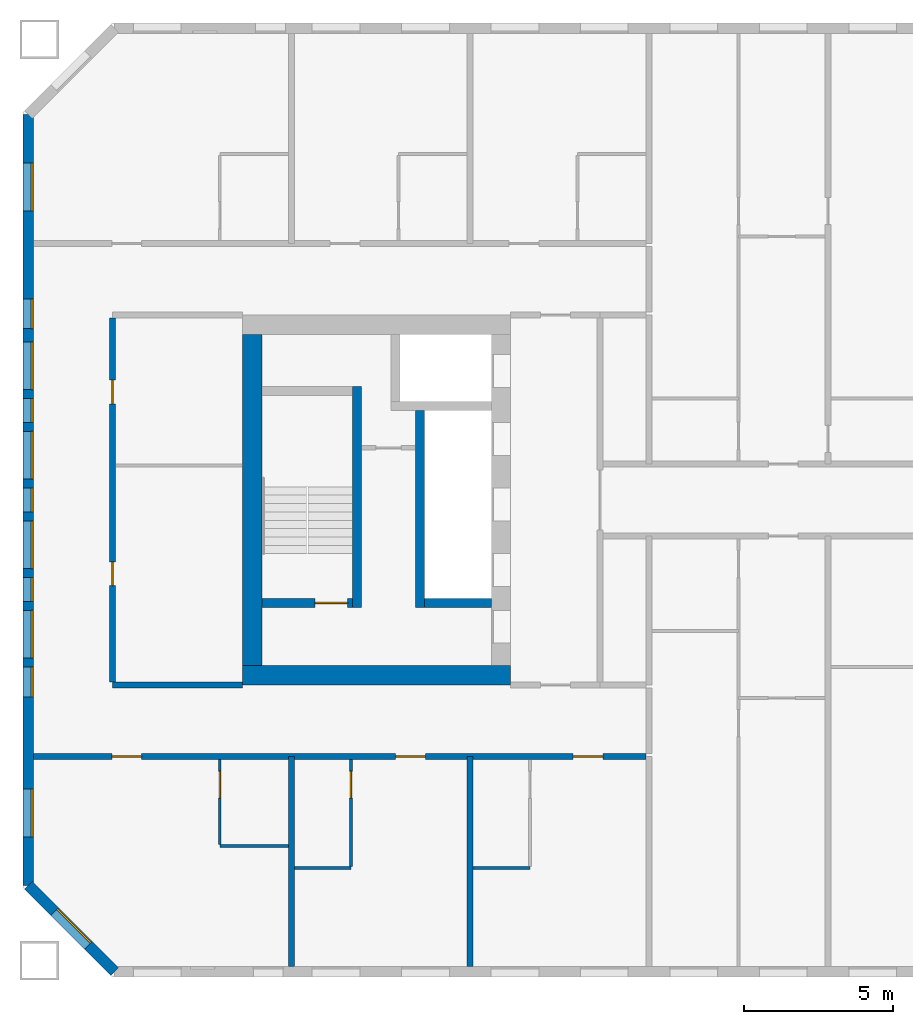
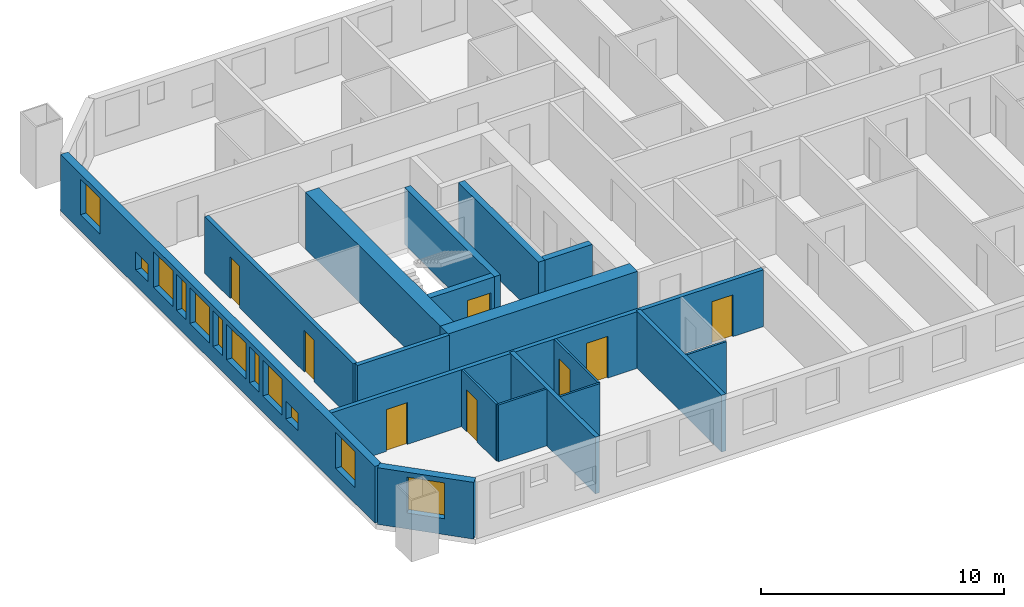
# One storey, part 2 of 17: 18 walls, 12 windows, 8 doors, 20 openings.
"""IFC4 building model written with IfcOpenShell, lengths in metres."""

from ifc_helpers import new_model, si_unit, direction, frame, frame_2d, origin, place, context, subcontext, project, spatial, rectangle, extrude, material, layer, layer_set, type_object, element, fill, save


model = new_model("IFC4")

# Units and contexts
model_context = context("Model", 3, precision=1e-05, world=origin(), true_north=direction((0.0, 1.0)))
body_context = subcontext(model_context, "Body", "Model", "MODEL_VIEW")
ifc_project = project(units=[si_unit("LENGTHUNIT", "METRE"), si_unit("AREAUNIT", "SQUARE_METRE"), si_unit("VOLUMEUNIT", "CUBIC_METRE"), si_unit("PLANEANGLEUNIT", "RADIAN"), si_unit("MASSUNIT", "GRAM", prefix="KILO")], contexts=[model_context])

# Site, building, storey
site_placement = place(None, origin())
site = spatial("IfcSite", under=ifc_project, at=site_placement, CompositionType="ELEMENT")
building_placement = place(site_placement, origin())
building = spatial("IfcBuilding", under=site, at=building_placement, Name="Tuart Gate Housing", CompositionType="ELEMENT")
storey_placement = place(building_placement, frame((0.0, 0.0, 99.5)))
storey = spatial("IfcBuildingStorey", under=building, at=storey_placement, Name="L27", CompositionType="ELEMENT", Elevation=99.5)

# Wall, opening, window
ifc_material_1 = material(Name="Brick", Category="masonry")
ifc_layer_1 = layer(ifc_material_1, 0.360107421875)
ifc_layer_set_1 = layer_set([ifc_layer_1], Name="Brick pier and spandrel wall 360")
wall_type_1 = type_object("IfcWallType", Name="Brick pier and spandrel wall 360", PredefinedType="STANDARD", material=ifc_layer_set_1)
wall_1_placement = place(storey_placement, frame((25.179931640625, 57.07470703125, 0.0), z_axis=(0.0, 0.0, 1.0), x_axis=(0.707106781187, -0.707106781187, 0.0)))
wall_1 = element("IfcWall", 1, at=wall_1_placement, inside=storey, type_object=wall_type_1, Name="External wall A-SW L27", PredefinedType="STANDARD", context=body_context, shape_type="SweptSolid", body=[
    extrude(rectangle(XDim=4.09375, YDim=0.360107421875, at=frame_2d((2.046875, 0.0))), origin(), (0.0, 0.0, 1.0), 2.85009765625),
])
opening_1_placement = place(wall_1_placement, frame((1.2470703125, 0.0, 0.800048828125)))
opening_1 = element("IfcOpeningElement", 2, at=opening_1_placement, cuts=wall_1, Name="Opening W1", PredefinedType="OPENING", context=body_context, shape_type="SweptSolid", body=[
    extrude(rectangle(XDim=1.60009765625, YDim=1.800048828125, at=frame_2d((0.800048828125, 0.89990234375))), frame((0.0, 0.18994140625, 0.0), z_axis=(0.0, -1.0, 0.0), x_axis=(1.0, 0.0, 0.0)), (0.0, 0.0, 1.0), 0.380126953125),
])
ifc_material_2 = material(Name="Aluminium frame with clear glass", Category="aluminium")
window_type_1 = type_object("IfcWindowType", Name="Punched window 1600 x 1800", PartitioningType="SINGLE_PANEL", PredefinedType="WINDOW", material=ifc_material_2)
window_1_placement = place(opening_1_placement, origin())
window_1 = element("IfcWindow", 3, at=window_1_placement, inside=storey, type_object=window_type_1, Name="Window W1", OverallHeight=1.800048828125, OverallWidth=1.60009765625, PartitioningType="SINGLE_PANEL", PredefinedType="WINDOW", context=body_context, shape_type="SweptSolid", body=[
    extrude(rectangle(XDim=1.60009765625, YDim=1.800048828125, at=frame_2d((0.800048828125, 0.89990234375))), frame((0.0, 0.150146484375, 0.0), z_axis=(0.0, -1.0, 0.0), x_axis=(1.0, 0.0, 0.0)), (0.0, 0.0, 1.0), 0.06005859375),
])
fill(opening_1, window_1)

# Wall, openings, windows
wall_2_placement = place(storey_placement, frame((25.179931640625, 82.92529296875, 0.0), z_axis=(0.0, 0.0, 1.0), x_axis=(0.0, -1.0, 0.0)))
wall_2 = element("IfcWall", 4, at=wall_2_placement, inside=storey, type_object=wall_type_1, Name="External wall A-W L27", PredefinedType="STANDARD", context=body_context, shape_type="SweptSolid", body=[
    extrude(rectangle(XDim=25.850830078125, YDim=0.360107421875, at=frame_2d((12.92529296875, 0.0))), origin(), (0.0, 0.0, 1.0), 2.85009765625),
])
opening_2_placement = place(wall_2_placement, frame((1.62548828125, 0.0, 0.800048828125)))
opening_2 = element("IfcOpeningElement", 5, at=opening_2_placement, cuts=wall_2, Name="Opening W1", PredefinedType="OPENING", context=body_context, shape_type="SweptSolid", body=[
    extrude(rectangle(XDim=1.60009765625, YDim=1.800048828125, at=frame_2d((0.800048828125, 0.89990234375))), frame((0.0, 0.18994140625, 0.0), z_axis=(0.0, -1.0, 0.0), x_axis=(1.0, 0.0, 0.0)), (0.0, 0.0, 1.0), 0.380126953125),
])
opening_3_placement = place(wall_2_placement, frame((6.17529296875, 0.0, 0.800048828125)))
opening_3 = element("IfcOpeningElement", 6, at=opening_3_placement, cuts=wall_2, Name="Opening W1U", PredefinedType="OPENING", context=body_context, shape_type="SweptSolid", body=[
    extrude(rectangle(XDim=1.0, YDim=0.89990234375, at=frame_2d((0.5, 0.449951171875))), frame((0.0, 0.18994140625, 0.0), z_axis=(0.0, -1.0, 0.0), x_axis=(1.0, 0.0, 0.0)), (0.0, 0.0, 1.0), 0.380126953125),
])
opening_4_placement = place(wall_2_placement, frame((7.62548828125, 0.0, 0.800048828125)))
opening_4 = element("IfcOpeningElement", 7, at=opening_4_placement, cuts=wall_2, Name="Opening W1", PredefinedType="OPENING", context=body_context, shape_type="SweptSolid", body=[
    extrude(rectangle(XDim=1.60009765625, YDim=1.800048828125, at=frame_2d((0.800048828125, 0.89990234375))), frame((0.0, 0.18994140625, 0.0), z_axis=(0.0, -1.0, 0.0), x_axis=(1.0, 0.0, 0.0)), (0.0, 0.0, 1.0), 0.380126953125),
])
opening_5_placement = place(wall_2_placement, frame((10.62548828125, 0.0, 0.800048828125)))
opening_5 = element("IfcOpeningElement", 8, at=opening_5_placement, cuts=wall_2, Name="Opening W1", PredefinedType="OPENING", context=body_context, shape_type="SweptSolid", body=[
    extrude(rectangle(XDim=1.60009765625, YDim=1.800048828125, at=frame_2d((0.800048828125, 0.89990234375))), frame((0.0, 0.18994140625, 0.0), z_axis=(0.0, -1.0, 0.0), x_axis=(1.0, 0.0, 0.0)), (0.0, 0.0, 1.0), 0.380126953125),
])
opening_6_placement = place(wall_2_placement, frame((13.62548828125, 0.0, 0.800048828125)))
opening_6 = element("IfcOpeningElement", 9, at=opening_6_placement, cuts=wall_2, Name="Opening W1", PredefinedType="OPENING", context=body_context, shape_type="SweptSolid", body=[
    extrude(rectangle(XDim=1.60009765625, YDim=1.800048828125, at=frame_2d((0.800048828125, 0.89990234375))), frame((0.0, 0.18994140625, 0.0), z_axis=(0.0, -1.0, 0.0), x_axis=(1.0, 0.0, 0.0)), (0.0, 0.0, 1.0), 0.380126953125),
])
opening_7_placement = place(wall_2_placement, frame((16.62548828125, 0.0, 0.800048828125)))
opening_7 = element("IfcOpeningElement", 10, at=opening_7_placement, cuts=wall_2, Name="Opening W1", PredefinedType="OPENING", context=body_context, shape_type="SweptSolid", body=[
    extrude(rectangle(XDim=1.60009765625, YDim=1.800048828125, at=frame_2d((0.800048828125, 0.89990234375))), frame((0.0, 0.18994140625, 0.0), z_axis=(0.0, -1.0, 0.0), x_axis=(1.0, 0.0, 0.0)), (0.0, 0.0, 1.0), 0.380126953125),
])
opening_8_placement = place(wall_2_placement, frame((9.525390625, 0.0, 0.800048828125)))
opening_8 = element("IfcOpeningElement", 11, at=opening_8_placement, cuts=wall_2, Name="Opening W1D", PredefinedType="OPENING", context=body_context, shape_type="SweptSolid", body=[
    extrude(rectangle(XDim=0.800048828125, YDim=1.800048828125, at=frame_2d((0.39990234375, 0.89990234375))), frame((0.0, 0.18994140625, 0.0), z_axis=(0.0, -1.0, 0.0), x_axis=(1.0, 0.0, 0.0)), (0.0, 0.0, 1.0), 0.380126953125),
])
opening_9_placement = place(wall_2_placement, frame((22.62548828125, 0.0, 0.800048828125)))
opening_9 = element("IfcOpeningElement", 12, at=opening_9_placement, cuts=wall_2, Name="Opening W1", PredefinedType="OPENING", context=body_context, shape_type="SweptSolid", body=[
    extrude(rectangle(XDim=1.60009765625, YDim=1.800048828125, at=frame_2d((0.800048828125, 0.89990234375))), frame((0.0, 0.18994140625, 0.0), z_axis=(0.0, -1.0, 0.0), x_axis=(1.0, 0.0, 0.0)), (0.0, 0.0, 1.0), 0.380126953125),
])
opening_10_placement = place(wall_2_placement, frame((12.525390625, 0.0, 0.800048828125)))
opening_10 = element("IfcOpeningElement", 13, at=opening_10_placement, cuts=wall_2, Name="Opening W1D", PredefinedType="OPENING", context=body_context, shape_type="SweptSolid", body=[
    extrude(rectangle(XDim=0.800048828125, YDim=1.800048828125, at=frame_2d((0.39990234375, 0.89990234375))), frame((0.0, 0.18994140625, 0.0), z_axis=(0.0, -1.0, 0.0), x_axis=(1.0, 0.0, 0.0)), (0.0, 0.0, 1.0), 0.380126953125),
])
opening_11_placement = place(wall_2_placement, frame((15.525390625, 0.0, 0.800048828125)))
opening_11 = element("IfcOpeningElement", 14, at=opening_11_placement, cuts=wall_2, Name="Opening W1D", PredefinedType="OPENING", context=body_context, shape_type="SweptSolid", body=[
    extrude(rectangle(XDim=0.800048828125, YDim=1.800048828125, at=frame_2d((0.39990234375, 0.89990234375))), frame((0.0, 0.18994140625, 0.0), z_axis=(0.0, -1.0, 0.0), x_axis=(1.0, 0.0, 0.0)), (0.0, 0.0, 1.0), 0.380126953125),
])
opening_12_placement = place(wall_2_placement, frame((18.525390625, 0.0, 0.800048828125)))
opening_12 = element("IfcOpeningElement", 15, at=opening_12_placement, cuts=wall_2, Name="Opening W1U", PredefinedType="OPENING", context=body_context, shape_type="SweptSolid", body=[
    extrude(rectangle(XDim=1.0, YDim=0.89990234375, at=frame_2d((0.5, 0.449951171875))), frame((0.0, 0.18994140625, 0.0), z_axis=(0.0, -1.0, 0.0), x_axis=(1.0, 0.0, 0.0)), (0.0, 0.0, 1.0), 0.380126953125),
])
ifc_material_3 = material(Name="Aluminium frame with clear glass", Category="aluminium")
window_type_2 = type_object("IfcWindowType", Name="Punched window 1000 x 900", PartitioningType="SINGLE_PANEL", PredefinedType="WINDOW", material=ifc_material_3)
window_2_placement = place(opening_3_placement, origin())
window_2 = element("IfcWindow", 16, at=window_2_placement, inside=storey, type_object=window_type_2, Name="Window W1U", OverallHeight=0.89990234375, OverallWidth=1.0, PartitioningType="SINGLE_PANEL", PredefinedType="WINDOW", context=body_context, shape_type="SweptSolid", body=[
    extrude(rectangle(XDim=1.0, YDim=0.89990234375, at=frame_2d((0.5, 0.449951171875))), frame((0.0, 0.150146484375, 0.0), z_axis=(0.0, -1.0, 0.0), x_axis=(1.0, 0.0, 0.0)), (0.0, 0.0, 1.0), 0.06005859375),
])
fill(opening_3, window_2)
window_3_placement = place(opening_12_placement, origin())
window_3 = element("IfcWindow", 17, at=window_3_placement, inside=storey, type_object=window_type_2, Name="Window W1U", OverallHeight=0.89990234375, OverallWidth=1.0, PartitioningType="SINGLE_PANEL", PredefinedType="WINDOW", context=body_context, shape_type="SweptSolid", body=[
    extrude(rectangle(XDim=1.0, YDim=0.89990234375, at=frame_2d((0.5, 0.449951171875))), frame((0.0, 0.150146484375, 0.0), z_axis=(0.0, -1.0, 0.0), x_axis=(1.0, 0.0, 0.0)), (0.0, 0.0, 1.0), 0.06005859375),
])
fill(opening_12, window_3)
window_4_placement = place(opening_2_placement, origin())
window_4 = element("IfcWindow", 18, at=window_4_placement, inside=storey, type_object=window_type_1, Name="Window W1", OverallHeight=1.800048828125, OverallWidth=1.60009765625, PartitioningType="SINGLE_PANEL", PredefinedType="WINDOW", context=body_context, shape_type="SweptSolid", body=[
    extrude(rectangle(XDim=1.60009765625, YDim=1.800048828125, at=frame_2d((0.800048828125, 0.89990234375))), frame((0.0, 0.150146484375, 0.0), z_axis=(0.0, -1.0, 0.0), x_axis=(1.0, 0.0, 0.0)), (0.0, 0.0, 1.0), 0.06005859375),
])
fill(opening_2, window_4)
window_5_placement = place(opening_4_placement, origin())
window_5 = element("IfcWindow", 19, at=window_5_placement, inside=storey, type_object=window_type_1, Name="Window W1", OverallHeight=1.800048828125, OverallWidth=1.60009765625, PartitioningType="SINGLE_PANEL", PredefinedType="WINDOW", context=body_context, shape_type="SweptSolid", body=[
    extrude(rectangle(XDim=1.60009765625, YDim=1.800048828125, at=frame_2d((0.800048828125, 0.89990234375))), frame((0.0, 0.150146484375, 0.0), z_axis=(0.0, -1.0, 0.0), x_axis=(1.0, 0.0, 0.0)), (0.0, 0.0, 1.0), 0.06005859375),
])
fill(opening_4, window_5)
window_6_placement = place(opening_5_placement, origin())
window_6 = element("IfcWindow", 20, at=window_6_placement, inside=storey, type_object=window_type_1, Name="Window W1", OverallHeight=1.800048828125, OverallWidth=1.60009765625, PartitioningType="SINGLE_PANEL", PredefinedType="WINDOW", context=body_context, shape_type="SweptSolid", body=[
    extrude(rectangle(XDim=1.60009765625, YDim=1.800048828125, at=frame_2d((0.800048828125, 0.89990234375))), frame((0.0, 0.150146484375, 0.0), z_axis=(0.0, -1.0, 0.0), x_axis=(1.0, 0.0, 0.0)), (0.0, 0.0, 1.0), 0.06005859375),
])
fill(opening_5, window_6)
window_7_placement = place(opening_6_placement, origin())
window_7 = element("IfcWindow", 21, at=window_7_placement, inside=storey, type_object=window_type_1, Name="Window W1", OverallHeight=1.800048828125, OverallWidth=1.60009765625, PartitioningType="SINGLE_PANEL", PredefinedType="WINDOW", context=body_context, shape_type="SweptSolid", body=[
    extrude(rectangle(XDim=1.60009765625, YDim=1.800048828125, at=frame_2d((0.800048828125, 0.89990234375))), frame((0.0, 0.150146484375, 0.0), z_axis=(0.0, -1.0, 0.0), x_axis=(1.0, 0.0, 0.0)), (0.0, 0.0, 1.0), 0.06005859375),
])
fill(opening_6, window_7)
window_8_placement = place(opening_7_placement, origin())
window_8 = element("IfcWindow", 22, at=window_8_placement, inside=storey, type_object=window_type_1, Name="Window W1", OverallHeight=1.800048828125, OverallWidth=1.60009765625, PartitioningType="SINGLE_PANEL", PredefinedType="WINDOW", context=body_context, shape_type="SweptSolid", body=[
    extrude(rectangle(XDim=1.60009765625, YDim=1.800048828125, at=frame_2d((0.800048828125, 0.89990234375))), frame((0.0, 0.150146484375, 0.0), z_axis=(0.0, -1.0, 0.0), x_axis=(1.0, 0.0, 0.0)), (0.0, 0.0, 1.0), 0.06005859375),
])
fill(opening_7, window_8)
window_9_placement = place(opening_9_placement, origin())
window_9 = element("IfcWindow", 23, at=window_9_placement, inside=storey, type_object=window_type_1, Name="Window W1", OverallHeight=1.800048828125, OverallWidth=1.60009765625, PartitioningType="SINGLE_PANEL", PredefinedType="WINDOW", context=body_context, shape_type="SweptSolid", body=[
    extrude(rectangle(XDim=1.60009765625, YDim=1.800048828125, at=frame_2d((0.800048828125, 0.89990234375))), frame((0.0, 0.150146484375, 0.0), z_axis=(0.0, -1.0, 0.0), x_axis=(1.0, 0.0, 0.0)), (0.0, 0.0, 1.0), 0.06005859375),
])
fill(opening_9, window_9)
ifc_material_4 = material(Name="Aluminium frame with clear glass", Category="aluminium")
window_type_3 = type_object("IfcWindowType", Name="Punched window 800 x 1800", PartitioningType="SINGLE_PANEL", PredefinedType="WINDOW", material=ifc_material_4)
window_10_placement = place(opening_8_placement, origin())
window_10 = element("IfcWindow", 24, at=window_10_placement, inside=storey, type_object=window_type_3, Name="Window W1D", OverallHeight=1.800048828125, OverallWidth=0.800048828125, PartitioningType="SINGLE_PANEL", PredefinedType="WINDOW", context=body_context, shape_type="SweptSolid", body=[
    extrude(rectangle(XDim=0.800048828125, YDim=1.800048828125, at=frame_2d((0.39990234375, 0.89990234375))), frame((0.0, 0.150146484375, 0.0), z_axis=(0.0, -1.0, 0.0), x_axis=(1.0, 0.0, 0.0)), (0.0, 0.0, 1.0), 0.06005859375),
])
fill(opening_8, window_10)
window_11_placement = place(opening_10_placement, origin())
window_11 = element("IfcWindow", 25, at=window_11_placement, inside=storey, type_object=window_type_3, Name="Window W1D", OverallHeight=1.800048828125, OverallWidth=0.800048828125, PartitioningType="SINGLE_PANEL", PredefinedType="WINDOW", context=body_context, shape_type="SweptSolid", body=[
    extrude(rectangle(XDim=0.800048828125, YDim=1.800048828125, at=frame_2d((0.39990234375, 0.89990234375))), frame((0.0, 0.150146484375, 0.0), z_axis=(0.0, -1.0, 0.0), x_axis=(1.0, 0.0, 0.0)), (0.0, 0.0, 1.0), 0.06005859375),
])
fill(opening_10, window_11)
window_12_placement = place(opening_11_placement, origin())
window_12 = element("IfcWindow", 26, at=window_12_placement, inside=storey, type_object=window_type_3, Name="Window W1D", OverallHeight=1.800048828125, OverallWidth=0.800048828125, PartitioningType="SINGLE_PANEL", PredefinedType="WINDOW", context=body_context, shape_type="SweptSolid", body=[
    extrude(rectangle(XDim=0.800048828125, YDim=1.800048828125, at=frame_2d((0.39990234375, 0.89990234375))), frame((0.0, 0.150146484375, 0.0), z_axis=(0.0, -1.0, 0.0), x_axis=(1.0, 0.0, 0.0)), (0.0, 0.0, 1.0), 0.06005859375),
])
fill(opening_11, window_12)

# Wall
ifc_material_5 = material(Name="Concrete C50", Category="concrete")
ifc_layer_2 = layer(ifc_material_5, 0.300048828125)
ifc_layer_set_2 = layer_set([ifc_layer_2], Name="Core wall 300 C50")
wall_type_2 = type_object("IfcWallType", Name="Core wall 300 C50", PredefinedType="SHEAR", material=ifc_layer_set_2)
wall_3_placement = place(storey_placement, frame((40.7099609375, 66.550048828125, 0.0), z_axis=(0.0, 0.0, 1.0), x_axis=(-1.0, 0.0, 0.0)))
element("IfcWall", 27, at=wall_3_placement, inside=storey, type_object=wall_type_2, Name="Core wall AK.4", PredefinedType="SHEAR", context=body_context, shape_type="SweptSolid", body=[
    extrude(rectangle(XDim=2.25, YDim=0.300048828125, at=frame_2d((1.125, 0.0))), origin(), (0.0, 0.0, 1.0), 2.85009765625),
])

# Wall, opening, door
wall_4_placement = place(storey_placement, frame((36.06005859375, 66.550048828125, 0.0), z_axis=(0.0, 0.0, 1.0), x_axis=(-1.0, 0.0, 0.0)))
wall_4 = element("IfcWall", 28, at=wall_4_placement, inside=storey, type_object=wall_type_2, Name="Core wall AK.5", PredefinedType="SHEAR", context=body_context, shape_type="SweptSolid", body=[
    extrude(rectangle(XDim=3.050048828125, YDim=0.300048828125, at=frame_2d((1.52490234375, 0.0))), origin(), (0.0, 0.0, 1.0), 2.85009765625),
])
opening_13_placement = place(wall_4_placement, frame((0.169921875, 0.0, 0.0)))
opening_13 = element("IfcOpeningElement", 29, at=opening_13_placement, cuts=wall_4, Name="Opening D1103", PredefinedType="OPENING", context=body_context, shape_type="SweptSolid", body=[
    extrude(rectangle(XDim=1.10009765625, YDim=2.10009765625, at=frame_2d((0.550048828125, 1.050048828125))), frame((0.0, 0.159912109375, 0.0), z_axis=(0.0, -1.0, 0.0), x_axis=(1.0, 0.0, 0.0)), (0.0, 0.0, 1.0), 0.320068359375),
])
ifc_material_6 = material(Name="Steel fire door", Category="steel")
door_type_1 = type_object("IfcDoorType", Name="Stair door 1100 x 2100 RH", OperationType="SINGLE_SWING_RIGHT", PredefinedType="DOOR", material=ifc_material_6)
door_1_placement = place(opening_13_placement, frame((1.10009765625, 0.0, 0.0), z_axis=(0.0, 0.0, 1.0), x_axis=(-1.0, 0.0, 0.0)))
door_1 = element("IfcDoor", 30, at=door_1_placement, inside=storey, type_object=door_type_1, Name="Stair door AK.SD", OperationType="SINGLE_SWING_RIGHT", OverallHeight=2.10009765625, OverallWidth=1.10009765625, PredefinedType="DOOR", context=body_context, shape_type="SweptSolid", body=[
    extrude(rectangle(XDim=1.10009765625, YDim=2.10009765625, at=frame_2d((0.550048828125, 1.050048828125))), frame((0.0, 0.025146484375, 0.0), z_axis=(0.0, -1.0, 0.0), x_axis=(1.0, 0.0, 0.0)), (0.0, 0.0, 1.0), 0.050048828125),
])
fill(opening_13, door_1)

# Walls
wall_5_placement = place(storey_placement, frame((38.31005859375, 73.0, 0.0), z_axis=(0.0, 0.0, 1.0), x_axis=(0.0, -1.0, 0.0)))
element("IfcWall", 31, at=wall_5_placement, inside=storey, type_object=wall_type_2, Name="Core wall AK.6", PredefinedType="SHEAR", context=body_context, shape_type="SweptSolid", body=[
    extrude(rectangle(XDim=6.60009765625, YDim=0.300048828125, at=frame_2d((3.300048828125, 0.0))), origin(), (0.0, 0.0, 1.0), 2.85009765625),
])
wall_6_placement = place(storey_placement, frame((36.2099609375, 73.800048828125, 0.0), z_axis=(0.0, 0.0, 1.0), x_axis=(0.0, -1.0, 0.0)))
element("IfcWall", 32, at=wall_6_placement, inside=storey, type_object=wall_type_2, Name="Core wall AK.8", PredefinedType="SHEAR", context=body_context, shape_type="SweptSolid", body=[
    extrude(rectangle(XDim=7.400146484375, YDim=0.300048828125, at=frame_2d((3.7001953125, 0.0))), origin(), (0.0, 0.0, 1.0), 2.85009765625),
])
ifc_material_7 = material(Name="Concrete C50", Category="concrete")
ifc_layer_3 = layer(ifc_material_7, 0.64990234375)
ifc_layer_set_3 = layer_set([ifc_layer_3], Name="Core wall 650 C50")
wall_type_3 = type_object("IfcWallType", Name="Core wall 650 C50", PredefinedType="SHEAR", material=ifc_layer_set_3)
wall_7_placement = place(storey_placement, frame((32.68505859375, 75.550048828125, 0.0), z_axis=(0.0, 0.0, 1.0), x_axis=(0.0, -1.0, 0.0)))
element("IfcWall", 33, at=wall_7_placement, inside=storey, type_object=wall_type_3, Name="Core wall AK back", PredefinedType="SHEAR", context=body_context, shape_type="SweptSolid", body=[
    extrude(rectangle(XDim=11.10009765625, YDim=0.64990234375, at=frame_2d((5.550048828125, 0.0))), origin(), (0.0, 0.0, 1.0), 2.85009765625),
])
wall_8_placement = place(storey_placement, frame((41.360107421875, 64.125, 0.0), z_axis=(0.0, 0.0, 1.0), x_axis=(-1.0, 0.0, 0.0)))
element("IfcWall", 34, at=wall_8_placement, inside=storey, type_object=wall_type_3, Name="Core wall AK north", PredefinedType="SHEAR", context=body_context, shape_type="SweptSolid", body=[
    extrude(rectangle(XDim=9.0, YDim=0.64990234375, at=frame_2d((4.5, 0.0))), origin(), (0.0, 0.0, 1.0), 2.85009765625),
])

# Wall, openings, doors
ifc_material_8 = material(Name="Concrete masonry 15 MPa", Category="masonry")
ifc_layer_4 = layer(ifc_material_8, 0.199951171875)
ifc_layer_set_4 = layer_set([ifc_layer_4], Name="Corridor wall masonry 200")
wall_type_4 = type_object("IfcWallType", Name="Corridor wall masonry 200", PredefinedType="PARTITIONING", material=ifc_layer_set_4)
wall_9_placement = place(storey_placement, frame((25.360107421875, 61.39990234375, 0.0), z_axis=(0.0, 0.0, 1.0), x_axis=(1.0, 0.0, 0.0)))
wall_9 = element("IfcWall", 35, at=wall_9_placement, inside=storey, type_object=wall_type_4, Name="Corridor wall masonry 200", PredefinedType="PARTITIONING", context=body_context, shape_type="SweptSolid", body=[
    extrude(rectangle(XDim=20.539794921875, YDim=0.199951171875, at=frame_2d((10.27001953125, 0.0))), origin(), (0.0, 0.0, 1.0), 2.85009765625),
])
opening_14_placement = place(wall_9_placement, frame((18.090087890625, 0.0, 0.0)))
opening_14 = element("IfcOpeningElement", 36, at=opening_14_placement, cuts=wall_9, Name="Opening D1113", PredefinedType="OPENING", context=body_context, shape_type="SweptSolid", body=[
    extrude(rectangle(XDim=1.0, YDim=2.10009765625, at=frame_2d((0.5, 1.050048828125))), frame((0.0, 0.10986328125, 0.0), z_axis=(0.0, -1.0, 0.0), x_axis=(1.0, 0.0, 0.0)), (0.0, 0.0, 1.0), 0.219970703125),
])
opening_15_placement = place(wall_9_placement, frame((12.139892578125, 0.0, 0.0)))
opening_15 = element("IfcOpeningElement", 37, at=opening_15_placement, cuts=wall_9, Name="Opening D1114", PredefinedType="OPENING", context=body_context, shape_type="SweptSolid", body=[
    extrude(rectangle(XDim=1.0, YDim=2.10009765625, at=frame_2d((0.5, 1.050048828125))), frame((0.0, 0.10986328125, 0.0), z_axis=(0.0, -1.0, 0.0), x_axis=(1.0, 0.0, 0.0)), (0.0, 0.0, 1.0), 0.219970703125),
])
opening_16_placement = place(wall_9_placement, frame((2.6201171875, 0.0, 0.0)))
opening_16 = element("IfcOpeningElement", 38, at=opening_16_placement, cuts=wall_9, Name="Opening D1115", PredefinedType="OPENING", context=body_context, shape_type="SweptSolid", body=[
    extrude(rectangle(XDim=1.0, YDim=2.10009765625, at=frame_2d((0.5, 1.050048828125))), frame((0.0, 0.10986328125, 0.0), z_axis=(0.0, -1.0, 0.0), x_axis=(1.0, 0.0, 0.0)), (0.0, 0.0, 1.0), 0.219970703125),
])
ifc_material_9 = material(Name="Timber door leaf in steel frame", Category="steel")
door_type_2 = type_object("IfcDoorType", Name="Flat entrance door 1000 RH", OperationType="SINGLE_SWING_RIGHT", PredefinedType="DOOR", material=ifc_material_9)
door_2_placement = place(opening_14_placement, frame((1.0, 0.0, 0.0), z_axis=(0.0, 0.0, 1.0), x_axis=(-1.0, 0.0, 0.0)))
door_2 = element("IfcDoor", 39, at=door_2_placement, inside=storey, type_object=door_type_2, Name="Flat entrance door", OperationType="SINGLE_SWING_RIGHT", OverallHeight=2.10009765625, OverallWidth=1.0, PredefinedType="DOOR", context=body_context, shape_type="SweptSolid", body=[
    extrude(rectangle(XDim=1.0, YDim=2.10009765625, at=frame_2d((0.5, 1.050048828125))), frame((0.0, 0.025146484375, 0.0), z_axis=(0.0, -1.0, 0.0), x_axis=(1.0, 0.0, 0.0)), (0.0, 0.0, 1.0), 0.050048828125),
])
fill(opening_14, door_2)
door_3_placement = place(opening_15_placement, frame((1.0, 0.0, 0.0), z_axis=(0.0, 0.0, 1.0), x_axis=(-1.0, 0.0, 0.0)))
door_3 = element("IfcDoor", 40, at=door_3_placement, inside=storey, type_object=door_type_2, Name="Flat entrance door", OperationType="SINGLE_SWING_RIGHT", OverallHeight=2.10009765625, OverallWidth=1.0, PredefinedType="DOOR", context=body_context, shape_type="SweptSolid", body=[
    extrude(rectangle(XDim=1.0, YDim=2.10009765625, at=frame_2d((0.5, 1.050048828125))), frame((0.0, 0.025146484375, 0.0), z_axis=(0.0, -1.0, 0.0), x_axis=(1.0, 0.0, 0.0)), (0.0, 0.0, 1.0), 0.050048828125),
])
fill(opening_15, door_3)
door_4_placement = place(opening_16_placement, frame((1.0, 0.0, 0.0), z_axis=(0.0, 0.0, 1.0), x_axis=(-1.0, 0.0, 0.0)))
door_4 = element("IfcDoor", 41, at=door_4_placement, inside=storey, type_object=door_type_2, Name="Flat entrance door", OperationType="SINGLE_SWING_RIGHT", OverallHeight=2.10009765625, OverallWidth=1.0, PredefinedType="DOOR", context=body_context, shape_type="SweptSolid", body=[
    extrude(rectangle(XDim=1.0, YDim=2.10009765625, at=frame_2d((0.5, 1.050048828125))), frame((0.0, 0.025146484375, 0.0), z_axis=(0.0, -1.0, 0.0), x_axis=(1.0, 0.0, 0.0)), (0.0, 0.0, 1.0), 0.050048828125),
])
fill(opening_16, door_4)

# Wall
wall_10_placement = place(storey_placement, frame((28.0, 63.800048828125, 0.0), z_axis=(0.0, 0.0, 1.0), x_axis=(1.0, 0.0, 0.0)))
element("IfcWall", 42, at=wall_10_placement, inside=storey, type_object=wall_type_4, Name="Corridor wall masonry 200", PredefinedType="PARTITIONING", context=body_context, shape_type="SweptSolid", body=[
    extrude(rectangle(XDim=4.360107421875, YDim=0.199951171875, at=frame_2d((2.18017578125, 0.0))), origin(), (0.0, 0.0, 1.0), 2.85009765625),
])

# Wall, openings, doors
wall_11_placement = place(storey_placement, frame((28.0, 63.89990234375, 0.0), z_axis=(0.0, 0.0, 1.0), x_axis=(0.0, 1.0, 0.0)))
wall_11 = element("IfcWall", 43, at=wall_11_placement, inside=storey, type_object=wall_type_4, Name="Corridor wall masonry 200", PredefinedType="PARTITIONING", context=body_context, shape_type="SweptSolid", body=[
    extrude(rectangle(XDim=12.2001953125, YDim=0.199951171875, at=frame_2d((6.10009765625, 0.0))), origin(), (0.0, 0.0, 1.0), 2.85009765625),
])
opening_17_placement = place(wall_11_placement, frame((3.22509765625, 0.0, 0.0)))
opening_17 = element("IfcOpeningElement", 44, at=opening_17_placement, cuts=wall_11, Name="Opening D1092", PredefinedType="OPENING", context=body_context, shape_type="SweptSolid", body=[
    extrude(rectangle(XDim=0.800048828125, YDim=2.10009765625, at=frame_2d((0.39990234375, 1.050048828125))), frame((0.0, 0.10986328125, 0.0), z_axis=(0.0, -1.0, 0.0), x_axis=(1.0, 0.0, 0.0)), (0.0, 0.0, 1.0), 0.219970703125),
])
opening_18_placement = place(wall_11_placement, frame((9.324951171875, 0.0, 0.0)))
opening_18 = element("IfcOpeningElement", 45, at=opening_18_placement, cuts=wall_11, Name="Opening D1093", PredefinedType="OPENING", context=body_context, shape_type="SweptSolid", body=[
    extrude(rectangle(XDim=0.800048828125, YDim=2.10009765625, at=frame_2d((0.39990234375, 1.050048828125))), frame((0.0, 0.10986328125, 0.0), z_axis=(0.0, -1.0, 0.0), x_axis=(1.0, 0.0, 0.0)), (0.0, 0.0, 1.0), 0.219970703125),
])
ifc_material_10 = material(Name="Timber door leaf in steel frame", Category="steel")
door_type_3 = type_object("IfcDoorType", Name="Store door 800", OperationType="SINGLE_SWING_LEFT", PredefinedType="DOOR", material=ifc_material_10)
door_5_placement = place(opening_17_placement, frame((0.800048828125, 0.0, 0.0), z_axis=(0.0, 0.0, 1.0), x_axis=(-1.0, 0.0, 0.0)))
door_5 = element("IfcDoor", 46, at=door_5_placement, inside=storey, type_object=door_type_3, Name="Store door", OperationType="SINGLE_SWING_LEFT", OverallHeight=2.10009765625, OverallWidth=0.800048828125, PredefinedType="DOOR", context=body_context, shape_type="SweptSolid", body=[
    extrude(rectangle(XDim=0.800048828125, YDim=2.10009765625, at=frame_2d((0.400146484375, 1.050048828125))), frame((0.0, 0.025146484375, 0.0), z_axis=(0.0, -1.0, 0.0), x_axis=(1.0, 0.0, 0.0)), (0.0, 0.0, 1.0), 0.050048828125),
])
fill(opening_17, door_5)
ifc_material_11 = material(Name="Timber door leaf in steel frame", Category="steel")
door_type_4 = type_object("IfcDoorType", Name="Store door 800 RH", OperationType="SINGLE_SWING_RIGHT", PredefinedType="DOOR", material=ifc_material_11)
door_6_placement = place(opening_18_placement, frame((0.800048828125, 0.0, 0.0), z_axis=(0.0, 0.0, 1.0), x_axis=(-1.0, 0.0, 0.0)))
door_6 = element("IfcDoor", 47, at=door_6_placement, inside=storey, type_object=door_type_4, Name="Store door", OperationType="SINGLE_SWING_RIGHT", OverallHeight=2.10009765625, OverallWidth=0.800048828125, PredefinedType="DOOR", context=body_context, shape_type="SweptSolid", body=[
    extrude(rectangle(XDim=0.800048828125, YDim=2.10009765625, at=frame_2d((0.400146484375, 1.050048828125))), frame((0.0, 0.025146484375, 0.0), z_axis=(0.0, -1.0, 0.0), x_axis=(1.0, 0.0, 0.0)), (0.0, 0.0, 1.0), 0.050048828125),
])
fill(opening_18, door_6)

# Walls
ifc_material_12 = material(Name="Gypsum board on steel studs", Category="steel")
ifc_layer_5 = layer(ifc_material_12, 0.10009765625)
ifc_layer_set_5 = layer_set([ifc_layer_5], Name="Partition 100")
wall_type_5 = type_object("IfcWallType", Name="Partition 100", PredefinedType="PARTITIONING", material=ifc_layer_set_5)
for number, where, z_axis, x_axis, name in (
    (48, (34.10009765625, 57.64990234375, 0.0), (0.0, 0.0, 1.0), (1.0, 0.0, 0.0), "Partition 100"),
    (49, (40.10009765625, 57.64990234375, 0.0), (0.0, 0.0, 1.0), (1.0, 0.0, 0.0), "Partition 100"),
):
    element("IfcWall", number, at=place(storey_placement, frame(where, z_axis=z_axis, x_axis=x_axis)), inside=storey, type_object=wall_type_5, Name=name, PredefinedType="PARTITIONING", context=body_context, shape_type="SweptSolid", body=[
        extrude(rectangle(XDim=1.89990234375, YDim=0.10009765625, at=frame_2d((0.949951171875, 0.0))), origin(), (0.0, 0.0, 1.0), 2.85009765625),
    ])
wall_12_placement = place(storey_placement, frame((31.60009765625, 58.39990234375, 0.0), z_axis=(0.0, 0.0, 1.0), x_axis=(1.0, 0.0, 0.0)))
element("IfcWall", 50, at=wall_12_placement, inside=storey, type_object=wall_type_5, Name="Partition 100", PredefinedType="PARTITIONING", context=body_context, shape_type="SweptSolid", body=[
    extrude(rectangle(XDim=2.2998046875, YDim=0.10009765625, at=frame_2d((1.14990234375, 0.0))), origin(), (0.0, 0.0, 1.0), 2.85009765625),
])

# Wall, opening, door
wall_13_placement = place(storey_placement, frame((31.60009765625, 58.449951171875, 0.0), z_axis=(0.0, 0.0, 1.0), x_axis=(0.0, 1.0, 0.0)))
wall_13 = element("IfcWall", 51, at=wall_13_placement, inside=storey, type_object=wall_type_5, Name="Partition 100", PredefinedType="PARTITIONING", context=body_context, shape_type="SweptSolid", body=[
    extrude(rectangle(XDim=2.85009765625, YDim=0.10009765625, at=frame_2d((1.425048828125, 0.0))), origin(), (0.0, 0.0, 1.0), 2.85009765625),
])
opening_19_placement = place(wall_13_placement, frame((1.550048828125, 0.0, 0.0)))
opening_19 = element("IfcOpeningElement", 52, at=opening_19_placement, cuts=wall_13, Name="Opening D1118", PredefinedType="OPENING", context=body_context, shape_type="SweptSolid", body=[
    extrude(rectangle(XDim=0.89990234375, YDim=2.10009765625, at=frame_2d((0.449951171875, 1.050048828125))), frame((0.0, 0.06005859375, 0.0), z_axis=(0.0, -1.0, 0.0), x_axis=(1.0, 0.0, 0.0)), (0.0, 0.0, 1.0), 0.1201171875),
])
ifc_material_13 = material(Name="Timber door leaf in steel frame", Category="steel")
door_type_5 = type_object("IfcDoorType", Name="Bathroom door 900", OperationType="SINGLE_SWING_LEFT", PredefinedType="DOOR", material=ifc_material_13)
door_7_placement = place(opening_19_placement, frame((0.89990234375, 0.0, 0.0), z_axis=(0.0, 0.0, 1.0), x_axis=(-1.0, 0.0, 0.0)))
door_7 = element("IfcDoor", 53, at=door_7_placement, inside=storey, type_object=door_type_5, Name="Bathroom door", OperationType="SINGLE_SWING_LEFT", OverallHeight=2.10009765625, OverallWidth=0.89990234375, PredefinedType="DOOR", context=body_context, shape_type="SweptSolid", body=[
    extrude(rectangle(XDim=0.89990234375, YDim=2.10009765625, at=frame_2d((0.449951171875, 1.050048828125))), frame((0.0, 0.025146484375, 0.0), z_axis=(0.0, -1.0, 0.0), x_axis=(1.0, 0.0, 0.0)), (0.0, 0.0, 1.0), 0.050048828125),
])
fill(opening_19, door_7)

wall_14_placement = place(storey_placement, frame((36.0, 57.699951171875, 0.0), z_axis=(0.0, 0.0, 1.0), x_axis=(0.0, 1.0, 0.0)))
wall_14 = element("IfcWall", 54, at=wall_14_placement, inside=storey, type_object=wall_type_5, Name="Partition 100", PredefinedType="PARTITIONING", context=body_context, shape_type="SweptSolid", body=[
    extrude(rectangle(XDim=3.60009765625, YDim=0.10009765625, at=frame_2d((1.800048828125, 0.0))), origin(), (0.0, 0.0, 1.0), 2.85009765625),
])
opening_20_placement = place(wall_14_placement, frame((2.300048828125, 0.0, 0.0)))
opening_20 = element("IfcOpeningElement", 55, at=opening_20_placement, cuts=wall_14, Name="Opening D1121", PredefinedType="OPENING", context=body_context, shape_type="SweptSolid", body=[
    extrude(rectangle(XDim=0.89990234375, YDim=2.10009765625, at=frame_2d((0.449951171875, 1.050048828125))), frame((0.0, 0.06005859375, 0.0), z_axis=(0.0, -1.0, 0.0), x_axis=(1.0, 0.0, 0.0)), (0.0, 0.0, 1.0), 0.1201171875),
])
ifc_material_14 = material(Name="Timber door leaf in steel frame", Category="steel")
door_type_6 = type_object("IfcDoorType", Name="Bathroom door 900 RH", OperationType="SINGLE_SWING_RIGHT", PredefinedType="DOOR", material=ifc_material_14)
door_8_placement = place(opening_20_placement, origin())
door_8 = element("IfcDoor", 56, at=door_8_placement, inside=storey, type_object=door_type_6, Name="Bathroom door", OperationType="SINGLE_SWING_RIGHT", OverallHeight=2.10009765625, OverallWidth=0.89990234375, PredefinedType="DOOR", context=body_context, shape_type="SweptSolid", body=[
    extrude(rectangle(XDim=0.89990234375, YDim=2.10009765625, at=frame_2d((0.449951171875, 1.050048828125))), frame((0.0, 0.02490234375, 0.0), z_axis=(0.0, -1.0, 0.0), x_axis=(1.0, 0.0, 0.0)), (0.0, 0.0, 1.0), 0.050048828125),
])
fill(opening_20, door_8)

# Walls
ifc_material_15 = material(Name="Concrete C40", Category="concrete")
ifc_layer_6 = layer(ifc_material_15, 0.199951171875)
ifc_layer_set_6 = layer_set([ifc_layer_6], Name="Party wall concrete C40 200")
wall_type_6 = type_object("IfcWallType", Name="Party wall concrete C40 200", PredefinedType="SOLIDWALL", material=ifc_layer_set_6)
for number, where, z_axis, x_axis, name in (
    (57, (34.0, 54.360107421875, 0.0), (0.0, 0.0, 1.0), (0.0, 1.0, 0.0), "Party wall concrete C40 200"),
    (58, (40.0, 54.360107421875, 0.0), (0.0, 0.0, 1.0), (0.0, 1.0, 0.0), "Party wall concrete C40 200"),
):
    element("IfcWall", number, at=place(storey_placement, frame(where, z_axis=z_axis, x_axis=x_axis)), inside=storey, type_object=wall_type_6, Name=name, PredefinedType="SOLIDWALL", context=body_context, shape_type="SweptSolid", body=[
        extrude(rectangle(XDim=7.039794921875, YDim=0.199951171875, at=frame_2d((3.52001953125, 0.0))), origin(), (0.0, 0.0, 1.0), 2.85009765625),
    ])

save(model, "model.ifc")
